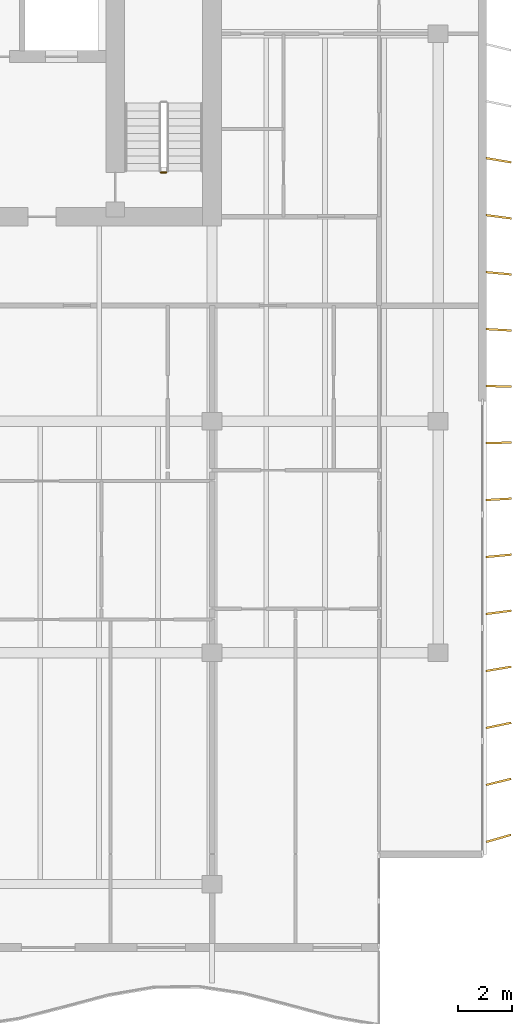
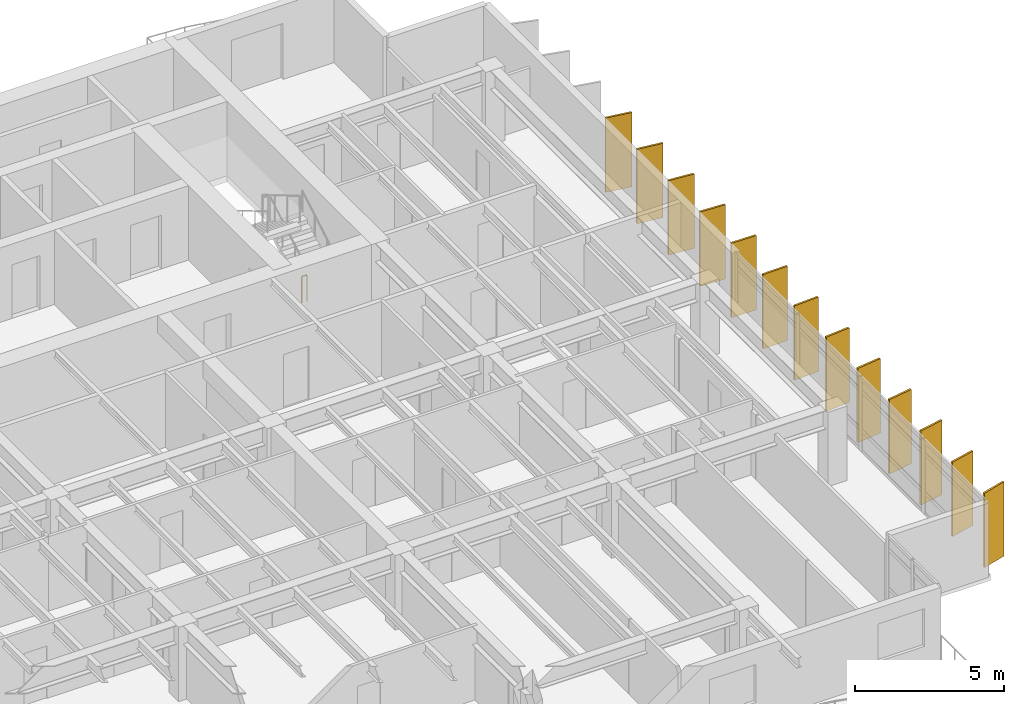
# One storey, part 15 of 17: 13 shading devices, 1 railing.
"""IFC4 building model written with IfcOpenShell, lengths in metres."""

from ifc_helpers import new_model, si_unit, direction, frame, origin, origin_2d, place, context, subcontext, project, spatial, rectangle, circle, extrude, material, material_profile, profile_set, type_object, element, save


model = new_model("IFC4")

# Units and contexts
model_context = context("Model", 3, precision=1e-05, world=origin(), true_north=direction((0.0, 1.0)))
body_context = subcontext(model_context, "Body", "Model", "MODEL_VIEW")
ifc_project = project(units=[si_unit("LENGTHUNIT", "METRE"), si_unit("AREAUNIT", "SQUARE_METRE"), si_unit("VOLUMEUNIT", "CUBIC_METRE"), si_unit("PLANEANGLEUNIT", "RADIAN"), si_unit("MASSUNIT", "GRAM", prefix="KILO")], contexts=[model_context])

# Site, building, storey
site_placement = place(None, origin())
site = spatial("IfcSite", under=ifc_project, at=site_placement, CompositionType="ELEMENT")
building_placement = place(site_placement, origin())
building = spatial("IfcBuilding", under=site, at=building_placement, Name="Caelmar Bay Residences", CompositionType="ELEMENT")
storey_placement = place(building_placement, frame((0.0, 0.0, 246.300048828125)))
storey = spatial("IfcBuildingStorey", under=building, at=storey_placement, Name="L69", CompositionType="ELEMENT", Elevation=246.300048828125)

# Railing
ifc_material_1 = material(Name="Painted galvanized steel stair guard 1100 mm", Category="steel")
railing_type = type_object("IfcRailingType", Name="RL-GRD-1100", PredefinedType="GUARDRAIL", material=ifc_material_1)
railing_placement = place(storey_placement, frame((57.800048828125, 38.64990234375, 0.0)))
element("IfcRailing", 1, at=railing_placement, inside=storey, type_object=railing_type, Name="L69 ST2 stair guard 4", PredefinedType="GUARDRAIL", context=body_context, shape_type="SweptSolid", body=[
    extrude(circle(Radius=0.02392578125, at=origin_2d()), frame((0.0, 0.0, 1.076171875), z_axis=(-1.0, 0.0, 0.0), x_axis=(0.0, -1.0, 0.0)), (0.0, 0.0, 1.0), 0.199951171875),
    extrude(circle(Radius=0.02099609375, at=origin_2d()), origin(), (0.0, 0.0, 1.0), 1.052001953125),
    extrude(circle(Radius=0.02099609375, at=origin_2d()), frame((-0.199951171875, 0.0, 0.0)), (0.0, 0.0, 1.0), 1.052001953125),
])

# Shading devices
ifc_material_2 = material(Name="Anodised architectural bronze aluminium 6063-T6", Category="aluminium")
ifc_material_profile = material_profile(ifc_material_2, rectangle(XDim=0.074951171875, YDim=0.949951171875, at=origin_2d()), Name="BRONZE-FIN-75X950")
ifc_profile_set = profile_set([ifc_material_profile], Name="Anodised architectural bronze aluminium 6063-T6")
shading_device_type = type_object("IfcShadingDeviceType", Name="SHD-FIN-950", PredefinedType="USERDEFINED", material=ifc_profile_set)
for number, where, z_axis, x_axis, name in (
    (2, (70.14990234375, 13.89990234375, 0.0), (0.0, 0.0, 1.0), (-0.275637355817, 0.961261695938, 0.0), "L69 East Bronze Solar Fin 1"),
    (3, (70.14990234375, 16.0, 0.0), (0.0, 0.0, 1.0), (-0.239719743609, 0.970842131618, 0.0), "L69 East Bronze Solar Fin 2"),
    (4, (70.14990234375, 18.10009765625, 0.0), (0.0, 0.0, 1.0), (-0.2032999874, 0.979116497217, 0.0), "L69 East Bronze Solar Fin 3"),
    (5, (70.14990234375, 20.199951171875, 0.0), (0.0, 0.0, 1.0), (-0.166768746716, 0.985996037071, 0.0), "L69 East Bronze Solar Fin 4"),
    (6, (70.14990234375, 22.300048828125, 0.0), (0.0, 0.0, 1.0), (-0.130007055036, 0.99151306882, 0.0), "L69 East Bronze Solar Fin 5"),
    (7, (70.14990234375, 24.39990234375, 0.0), (0.0, 0.0, 1.0), (-0.092891934994, 0.995676196569, 0.0), "L69 East Bronze Solar Fin 6"),
    (8, (70.14990234375, 26.5, 0.0), (0.0, 0.0, 1.0), (-0.055821504993, 0.998440764182, 0.0), "L69 East Bronze Solar Fin 7"),
    (9, (70.14990234375, 28.60009765625, 0.0), (0.0, 0.0, 1.0), (-0.018673937509, 0.999825626826, 0.0), "L69 East Bronze Solar Fin 8"),
    (10, (70.14990234375, 30.699951171875, 0.0), (0.0, 0.0, 1.0), (0.018673937509, 0.999825626826, 0.0), "L69 East Bronze Solar Fin 9"),
    (11, (70.14990234375, 32.800048828125, 0.0), (0.0, 0.0, 1.0), (0.055821504993, 0.998440764182, 0.0), "L69 East Bronze Solar Fin 10"),
    (12, (70.14990234375, 34.89990234375, 0.0), (0.0, 0.0, 1.0), (0.092891934994, 0.995676196569, 0.0), "L69 East Bronze Solar Fin 11"),
    (13, (70.14990234375, 37.0, 0.0), (0.0, 0.0, 1.0), (0.130007055036, 0.99151306882, 0.0), "L69 East Bronze Solar Fin 12"),
    (14, (70.14990234375, 39.10009765625, 0.0), (0.0, 0.0, 1.0), (0.166768746716, 0.985996037071, 0.0), "L69 East Bronze Solar Fin 13"),
):
    element("IfcShadingDevice", number, at=place(storey_placement, frame(where, z_axis=z_axis, x_axis=x_axis)), inside=storey, type_object=shading_device_type, Name=name, ObjectType="FIN", PredefinedType="USERDEFINED", context=body_context, shape_type="SweptSolid", body=[
        extrude(rectangle(XDim=0.074951171875, YDim=0.949951171875, at=origin_2d()), origin(), (0.0, 0.0, 1.0), 3.050048828125),
    ])

save(model, "model.ifc")
